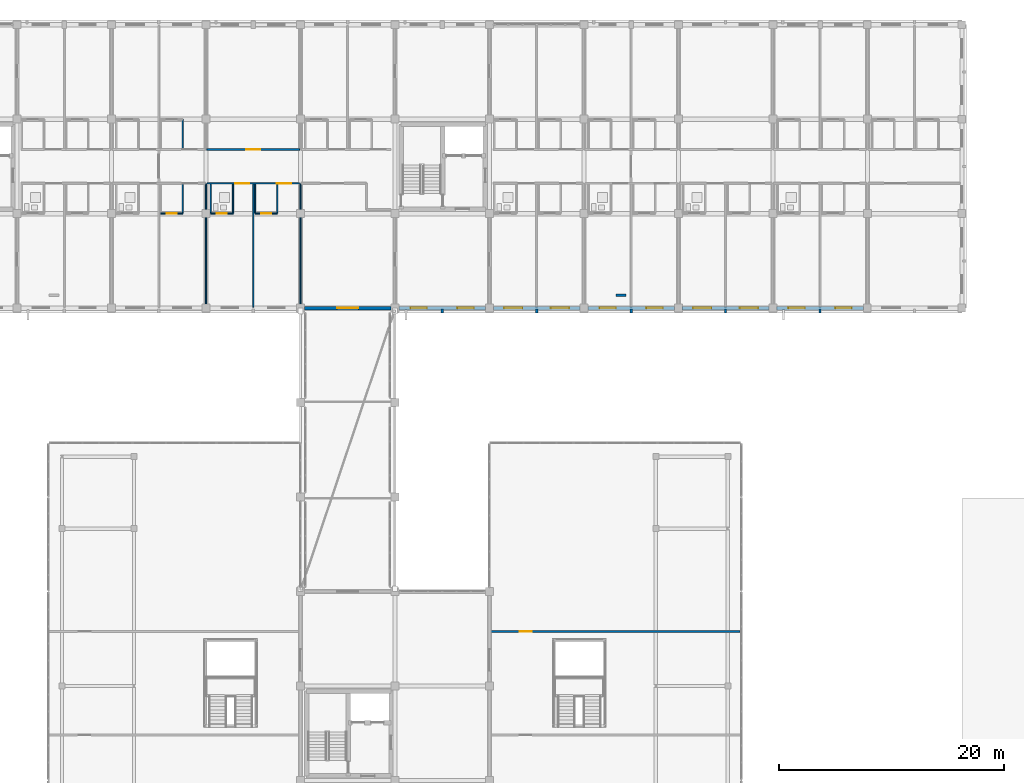
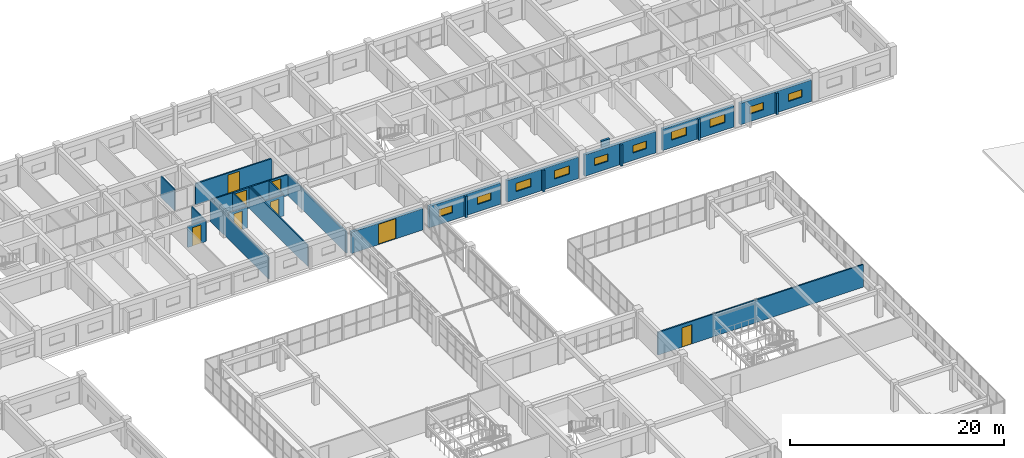
# One storey, part 126 of 148: 27 walls, 10 windows, 8 doors, 18 openings.
"""IFC4 building model written with IfcOpenShell, lengths in metres."""

from ifc_helpers import new_model, si_unit, direction, frame, frame_2d, origin, place, context, subcontext, project, spatial, rectangle, extrude, material, layer, layer_set, type_object, element, fill, save


model = new_model("IFC4")

# Units and contexts
model_context = context("Model", 3, precision=1e-05, world=origin(), true_north=direction((0.0, 1.0)))
body_context = subcontext(model_context, "Body", "Model", "MODEL_VIEW")
ifc_project = project(units=[si_unit("LENGTHUNIT", "METRE"), si_unit("AREAUNIT", "SQUARE_METRE"), si_unit("VOLUMEUNIT", "CUBIC_METRE"), si_unit("PLANEANGLEUNIT", "RADIAN"), si_unit("MASSUNIT", "GRAM", prefix="KILO")], contexts=[model_context])

# Site, building, storey
site_placement = place(None, origin())
site = spatial("IfcSite", under=ifc_project, at=site_placement, CompositionType="ELEMENT")
building_placement = place(site_placement, origin())
building = spatial("IfcBuilding", under=site, at=building_placement, Name="Trelvath General Hospital", CompositionType="ELEMENT")
storey_placement = place(building_placement, frame((0.0, 0.0, 12.89990234375)))
storey = spatial("IfcBuildingStorey", under=building, at=storey_placement, Name="L03", CompositionType="ELEMENT", Elevation=12.89990234375)

# Walls
ifc_material_1 = material(Name="Precast concrete C40/50", Category="concrete")
ifc_layer_1 = layer(ifc_material_1, 0.199951171875)
ifc_layer_set_1 = layer_set([ifc_layer_1], Name="Precast concrete C40/50")
wall_type_1 = type_object("IfcWallType", Name="BriseSoleilRib 200", PredefinedType="ELEMENTEDWALL", material=ifc_layer_set_1)
for number, where, z_axis, x_axis, name in (
    (1, (88.199951171875, 92.324951171875, 0.0), (0.0, 0.0, 1.0), (0.0, -1.0, 0.0), "Precast Concrete Brise-Soleil Rib Fin L03-276"),
    (2, (96.60009765625, 92.324951171875, 0.0), (0.0, 0.0, 1.0), (0.0, -1.0, 0.0), "Precast Concrete Brise-Soleil Rib Fin L03-279"),
    (3, (105.0, 92.324951171875, 0.0), (0.0, 0.0, 1.0), (0.0, -1.0, 0.0), "Precast Concrete Brise-Soleil Rib Fin L03-282"),
    (4, (113.39990234375, 92.324951171875, 0.0), (0.0, 0.0, 1.0), (0.0, -1.0, 0.0), "Precast Concrete Brise-Soleil Rib Fin L03-286"),
    (5, (121.800048828125, 92.324951171875, 0.0), (0.0, 0.0, 1.0), (0.0, -1.0, 0.0), "Precast Concrete Brise-Soleil Rib Fin L03-290"),
):
    element("IfcWall", number, at=place(storey_placement, frame(where, z_axis=z_axis, x_axis=x_axis)), inside=storey, type_object=wall_type_1, Name=name, PredefinedType="ELEMENTEDWALL", context=body_context, shape_type="SweptSolid", body=[
        extrude(rectangle(XDim=0.33984375, YDim=0.199951171875, at=frame_2d((0.169921875, 0.0))), origin(), (0.0, 0.0, 1.0), 2.420166015625),
    ])

# Wall, openings, doors
ifc_material_2 = material(Name="Gypsum acoustic steel-stud partition", Category="steel")
ifc_layer_2 = layer(ifc_material_2, 0.14990234375)
ifc_layer_set_2 = layer_set([ifc_layer_2], Name="Gypsum acoustic steel-stud partition")
wall_type_2 = type_object("IfcWallType", Name="ClinicalPartition 150", PredefinedType="PARTITIONING", material=ifc_layer_set_2)
wall_1_placement = place(storey_placement, frame((67.280029296875, 103.5, 0.0), z_axis=(0.0, 0.0, 1.0), x_axis=(1.0, 0.0, 0.0)))
wall_1 = element("IfcWall", 6, at=wall_1_placement, inside=storey, type_object=wall_type_2, Name="Corridor Partition L03-1296", PredefinedType="PARTITIONING", context=body_context, shape_type="SweptSolid", body=[
    extrude(rectangle(XDim=8.239990234375, YDim=0.14990234375, at=frame_2d((4.1201171875, 0.0))), origin(), (0.0, 0.0, 1.0), 2.420166015625),
])
opening_1_placement = place(wall_1_placement, frame((2.530029296875, 0.0, 0.0)))
opening_1 = element("IfcOpeningElement", 7, at=opening_1_placement, cuts=wall_1, Name="Opening D-3-0934", PredefinedType="OPENING", context=body_context, shape_type="SweptSolid", body=[
    extrude(rectangle(XDim=1.25, YDim=2.199951171875, at=frame_2d((0.625, 1.10009765625))), frame((0.0, 0.0849609375, 0.0), z_axis=(0.0, -1.0, 0.0), x_axis=(1.0, 0.0, 0.0)), (0.0, 0.0, 1.0), 0.169921875),
])
opening_2_placement = place(wall_1_placement, frame((6.22998046875, 0.0, 0.0)))
opening_2 = element("IfcOpeningElement", 8, at=opening_2_placement, cuts=wall_1, Name="Opening D-3-0935", PredefinedType="OPENING", context=body_context, shape_type="SweptSolid", body=[
    extrude(rectangle(XDim=1.25, YDim=2.199951171875, at=frame_2d((0.625, 1.10009765625))), frame((0.0, 0.0849609375, 0.0), z_axis=(0.0, -1.0, 0.0), x_axis=(1.0, 0.0, 0.0)), (0.0, 0.0, 1.0), 0.169921875),
])
ifc_material_3 = material(Name="Acoustic hospital timber leaf", Category="wood")
door_type_1 = type_object("IfcDoorType", Name="Door Treatment 1250x2200", OperationType="NOTDEFINED", PredefinedType="DOOR", material=ifc_material_3)
door_1_placement = place(opening_1_placement, origin())
door_1 = element("IfcDoor", 9, at=door_1_placement, inside=storey, type_object=door_type_1, Name="Patient Room Door L03-934", OperationType="SINGLE_SWING_RIGHT", OverallHeight=2.199951171875, OverallWidth=1.25, PredefinedType="DOOR", context=body_context, shape_type="SweptSolid", body=[
    extrude(rectangle(XDim=1.25, YDim=2.199951171875, at=frame_2d((0.625, 1.10009765625))), frame((0.0, 0.02490234375, 0.0), z_axis=(0.0, -1.0, 0.0), x_axis=(1.0, 0.0, 0.0)), (0.0, 0.0, 1.0), 0.050048828125),
])
fill(opening_1, door_1)
door_2_placement = place(opening_2_placement, origin())
door_2 = element("IfcDoor", 10, at=door_2_placement, inside=storey, type_object=door_type_1, Name="Patient Room Door L03-935", OperationType="SINGLE_SWING_LEFT", OverallHeight=2.199951171875, OverallWidth=1.25, PredefinedType="DOOR", context=body_context, shape_type="SweptSolid", body=[
    extrude(rectangle(XDim=1.25, YDim=2.199951171875, at=frame_2d((0.625, 1.10009765625))), frame((0.0, 0.02490234375, 0.0), z_axis=(0.0, -1.0, 0.0), x_axis=(1.0, 0.0, 0.0)), (0.0, 0.0, 1.0), 0.050048828125),
])
fill(opening_2, door_2)

# Wall, opening, door
wall_2_placement = place(storey_placement, frame((75.52001953125, 106.5, 0.0), z_axis=(0.0, 0.0, 1.0), x_axis=(-1.0, 0.0, 0.0)))
wall_2 = element("IfcWall", 11, at=wall_2_placement, inside=storey, type_object=wall_type_2, Name="Corridor Partition N L03-1304", PredefinedType="PARTITIONING", context=body_context, shape_type="SweptSolid", body=[
    extrude(rectangle(XDim=8.239990234375, YDim=0.14990234375, at=frame_2d((4.1201171875, 0.0))), origin(), (0.0, 0.0, 1.0), 2.420166015625),
])
opening_3_placement = place(wall_2_placement, frame((3.4951171875, 0.0, 0.0)))
opening_3 = element("IfcOpeningElement", 12, at=opening_3_placement, cuts=wall_2, Name="Opening D-3-0938", PredefinedType="OPENING", context=body_context, shape_type="SweptSolid", body=[
    extrude(rectangle(XDim=1.25, YDim=2.199951171875, at=frame_2d((0.625, 1.10009765625))), frame((0.0, 0.0849609375, 0.0), z_axis=(0.0, -1.0, 0.0), x_axis=(1.0, 0.0, 0.0)), (0.0, 0.0, 1.0), 0.169921875),
])
door_3_placement = place(opening_3_placement, origin())
door_3 = element("IfcDoor", 13, at=door_3_placement, inside=storey, type_object=door_type_1, Name="Clinical Room Door L03-938", OperationType="SINGLE_SWING_RIGHT", OverallHeight=2.199951171875, OverallWidth=1.25, PredefinedType="DOOR", context=body_context, shape_type="SweptSolid", body=[
    extrude(rectangle(XDim=1.25, YDim=2.199951171875, at=frame_2d((0.625, 1.10009765625))), frame((0.0, 0.02490234375, 0.0), z_axis=(0.0, -1.0, 0.0), x_axis=(1.0, 0.0, 0.0)), (0.0, 0.0, 1.0), 0.050048828125),
])
fill(opening_3, door_3)

wall_3_placement = place(storey_placement, frame((92.5, 63.64990234375, 0.0), z_axis=(0.0, 0.0, 1.0), x_axis=(1.0, 0.0, 0.0)))
wall_3 = element("IfcWall", 14, at=wall_3_placement, inside=storey, type_object=wall_type_2, Name="Cube Clinic CUBE-E Partition L03-1405", PredefinedType="PARTITIONING", context=body_context, shape_type="SweptSolid", body=[
    extrude(rectangle(XDim=22.199951171875, YDim=0.14990234375, at=frame_2d((11.10009765625, 0.0))), origin(), (0.0, 0.0, 1.0), 2.590087890625),
])
opening_4_placement = place(wall_3_placement, frame((2.60009765625, 0.0, 0.0)))
opening_4 = element("IfcOpeningElement", 15, at=opening_4_placement, cuts=wall_3, Name="Opening DC-3-0990", PredefinedType="OPENING", context=body_context, shape_type="SweptSolid", body=[
    extrude(rectangle(XDim=1.050048828125, YDim=2.199951171875, at=frame_2d((0.52490234375, 1.10009765625))), frame((0.0, 0.0849609375, 0.0), z_axis=(0.0, -1.0, 0.0), x_axis=(1.0, 0.0, 0.0)), (0.0, 0.0, 1.0), 0.169921875),
])
ifc_material_4 = material(Name="Acoustic hospital timber leaf", Category="wood")
door_type_2 = type_object("IfcDoorType", Name="Door Consult 1050x2200", OperationType="NOTDEFINED", PredefinedType="DOOR", material=ifc_material_4)
door_4_placement = place(opening_4_placement, origin())
door_4 = element("IfcDoor", 16, at=door_4_placement, inside=storey, type_object=door_type_2, Name="Cube Clinic CUBE-E Door L03-990", OperationType="SINGLE_SWING_RIGHT", OverallHeight=2.199951171875, OverallWidth=1.050048828125, PredefinedType="DOOR", context=body_context, shape_type="SweptSolid", body=[
    extrude(rectangle(XDim=1.050048828125, YDim=2.199951171875, at=frame_2d((0.52490234375, 1.10009765625))), frame((0.0, 0.02490234375, 0.0), z_axis=(0.0, -1.0, 0.0), x_axis=(1.0, 0.0, 0.0)), (0.0, 0.0, 1.0), 0.050048828125),
])
fill(opening_4, door_4)

# Wall
ifc_material_5 = material(Name="Moisture-resistant tile partition")
ifc_layer_3 = layer(ifc_material_5, 0.110107421875)
ifc_layer_set_3 = layer_set([ifc_layer_3], Name="Moisture-resistant tile partition")
wall_type_3 = type_object("IfcWallType", Name="EnSuiteWetWall 110", PredefinedType="PARTITIONING", material=ifc_layer_set_3)
wall_4_placement = place(storey_placement, frame((65.139892578125, 100.820068359375, 0.0), z_axis=(0.0, 0.0, 1.0), x_axis=(0.0, 1.0, 0.0)))
element("IfcWall", 17, at=wall_4_placement, inside=storey, type_object=wall_type_3, Name="En-Suite E Wall L03-1283", PredefinedType="PARTITIONING", context=body_context, shape_type="SweptSolid", body=[
    extrude(rectangle(XDim=2.60986328125, YDim=0.110107421875, at=frame_2d((1.304931640625, 0.0))), origin(), (0.0, 0.0, 1.0), 2.420166015625),
])

# Wall, opening, door
wall_5_placement = place(storey_placement, frame((63.159912109375, 100.820068359375, 0.0), z_axis=(0.0, 0.0, 1.0), x_axis=(1.0, 0.0, 0.0)))
wall_5 = element("IfcWall", 18, at=wall_5_placement, inside=storey, type_object=wall_type_3, Name="En-Suite Bathroom Partition L03-1284", PredefinedType="PARTITIONING", context=body_context, shape_type="SweptSolid", body=[
    extrude(rectangle(XDim=1.97998046875, YDim=0.110107421875, at=frame_2d((0.989990234375, 0.0))), origin(), (0.0, 0.0, 1.0), 2.420166015625),
])
opening_5_placement = place(wall_5_placement, frame((0.5400390625, 0.0, 0.0)))
opening_5 = element("IfcOpeningElement", 19, at=opening_5_placement, cuts=wall_5, Name="Opening D-3-0928", PredefinedType="OPENING", context=body_context, shape_type="SweptSolid", body=[
    extrude(rectangle(XDim=0.89990234375, YDim=2.10009765625, at=frame_2d((0.449951171875, 1.050048828125))), frame((0.0, 0.06494140625, 0.0), z_axis=(0.0, -1.0, 0.0), x_axis=(1.0, 0.0, 0.0)), (0.0, 0.0, 1.0), 0.130126953125),
])
ifc_material_6 = material(Name="Moisture-sealed timber leaf", Category="wood")
door_type_3 = type_object("IfcDoorType", Name="Door EnSuite 900x2100", OperationType="NOTDEFINED", PredefinedType="DOOR", material=ifc_material_6)
door_5_placement = place(opening_5_placement, origin())
door_5 = element("IfcDoor", 20, at=door_5_placement, inside=storey, type_object=door_type_3, Name="En-Suite Bathroom Door L03-928", OperationType="SINGLE_SWING_RIGHT", OverallHeight=2.10009765625, OverallWidth=0.89990234375, PredefinedType="DOOR", context=body_context, shape_type="SweptSolid", body=[
    extrude(rectangle(XDim=0.89990234375, YDim=2.10009765625, at=frame_2d((0.449951171875, 1.050048828125))), frame((0.0, 0.02490234375, 0.0), z_axis=(0.0, -1.0, 0.0), x_axis=(1.0, 0.0, 0.0)), (0.0, 0.0, 1.0), 0.050048828125),
])
fill(opening_5, door_5)

# Walls
for number, where, z_axis, x_axis, name in (
    (21, (65.139892578125, 106.570068359375, 0.0), (0.0, 0.0, 1.0), (0.0, 1.0, 0.0), "En-Suite E Wall N L03-1291"),
    (22, (67.6201171875, 100.820068359375, 0.0), (0.0, 0.0, 1.0), (0.0, 1.0, 0.0), "En-Suite W Wall L03-1298"),
    (23, (69.60009765625, 100.820068359375, 0.0), (0.0, 0.0, 1.0), (0.0, 1.0, 0.0), "En-Suite E Wall L03-1299"),
):
    element("IfcWall", number, at=place(storey_placement, frame(where, z_axis=z_axis, x_axis=x_axis)), inside=storey, type_object=wall_type_3, Name=name, PredefinedType="PARTITIONING", context=body_context, shape_type="SweptSolid", body=[
        extrude(rectangle(XDim=2.60986328125, YDim=0.110107421875, at=frame_2d((1.304931640625, 0.0))), origin(), (0.0, 0.0, 1.0), 2.420166015625),
    ])

# Wall, opening, door
wall_6_placement = place(storey_placement, frame((67.6201171875, 100.820068359375, 0.0), z_axis=(0.0, 0.0, 1.0), x_axis=(1.0, 0.0, 0.0)))
wall_6 = element("IfcWall", 24, at=wall_6_placement, inside=storey, type_object=wall_type_3, Name="En-Suite Bathroom Partition L03-1300", PredefinedType="PARTITIONING", context=body_context, shape_type="SweptSolid", body=[
    extrude(rectangle(XDim=1.97998046875, YDim=0.110107421875, at=frame_2d((0.989990234375, 0.0))), origin(), (0.0, 0.0, 1.0), 2.420166015625),
])
opening_6_placement = place(wall_6_placement, frame((0.5400390625, 0.0, 0.0)))
opening_6 = element("IfcOpeningElement", 25, at=opening_6_placement, cuts=wall_6, Name="Opening D-3-0936", PredefinedType="OPENING", context=body_context, shape_type="SweptSolid", body=[
    extrude(rectangle(XDim=0.89990234375, YDim=2.10009765625, at=frame_2d((0.449951171875, 1.050048828125))), frame((0.0, 0.06494140625, 0.0), z_axis=(0.0, -1.0, 0.0), x_axis=(1.0, 0.0, 0.0)), (0.0, 0.0, 1.0), 0.130126953125),
])
door_6_placement = place(opening_6_placement, origin())
door_6 = element("IfcDoor", 26, at=door_6_placement, inside=storey, type_object=door_type_3, Name="En-Suite Bathroom Door L03-936", OperationType="SINGLE_SWING_RIGHT", OverallHeight=2.10009765625, OverallWidth=0.89990234375, PredefinedType="DOOR", context=body_context, shape_type="SweptSolid", body=[
    extrude(rectangle(XDim=0.89990234375, YDim=2.10009765625, at=frame_2d((0.449951171875, 1.050048828125))), frame((0.0, 0.02490234375, 0.0), z_axis=(0.0, -1.0, 0.0), x_axis=(1.0, 0.0, 0.0)), (0.0, 0.0, 1.0), 0.050048828125),
])
fill(opening_6, door_6)

# Walls
for number, where, z_axis, x_axis, name in (
    (27, (71.56005859375, 100.820068359375, 0.0), (0.0, 0.0, 1.0), (0.0, 1.0, 0.0), "En-Suite W Wall L03-1301"),
    (28, (73.5400390625, 100.820068359375, 0.0), (0.0, 0.0, 1.0), (0.0, 1.0, 0.0), "En-Suite E Wall L03-1302"),
):
    element("IfcWall", number, at=place(storey_placement, frame(where, z_axis=z_axis, x_axis=x_axis)), inside=storey, type_object=wall_type_3, Name=name, PredefinedType="PARTITIONING", context=body_context, shape_type="SweptSolid", body=[
        extrude(rectangle(XDim=2.60986328125, YDim=0.110107421875, at=frame_2d((1.304931640625, 0.0))), origin(), (0.0, 0.0, 1.0), 2.420166015625),
    ])

# Wall, opening, door
wall_7_placement = place(storey_placement, frame((71.56005859375, 100.820068359375, 0.0), z_axis=(0.0, 0.0, 1.0), x_axis=(1.0, 0.0, 0.0)))
wall_7 = element("IfcWall", 29, at=wall_7_placement, inside=storey, type_object=wall_type_3, Name="En-Suite Bathroom Partition L03-1303", PredefinedType="PARTITIONING", context=body_context, shape_type="SweptSolid", body=[
    extrude(rectangle(XDim=1.97998046875, YDim=0.110107421875, at=frame_2d((0.989990234375, 0.0))), origin(), (0.0, 0.0, 1.0), 2.420166015625),
])
opening_7_placement = place(wall_7_placement, frame((0.5400390625, 0.0, 0.0)))
opening_7 = element("IfcOpeningElement", 30, at=opening_7_placement, cuts=wall_7, Name="Opening D-3-0937", PredefinedType="OPENING", context=body_context, shape_type="SweptSolid", body=[
    extrude(rectangle(XDim=0.89990234375, YDim=2.10009765625, at=frame_2d((0.449951171875, 1.050048828125))), frame((0.0, 0.06494140625, 0.0), z_axis=(0.0, -1.0, 0.0), x_axis=(1.0, 0.0, 0.0)), (0.0, 0.0, 1.0), 0.130126953125),
])
door_7_placement = place(opening_7_placement, origin())
door_7 = element("IfcDoor", 31, at=door_7_placement, inside=storey, type_object=door_type_3, Name="En-Suite Bathroom Door L03-937", OperationType="SINGLE_SWING_LEFT", OverallHeight=2.10009765625, OverallWidth=0.89990234375, PredefinedType="DOOR", context=body_context, shape_type="SweptSolid", body=[
    extrude(rectangle(XDim=0.89990234375, YDim=2.10009765625, at=frame_2d((0.449951171875, 1.050048828125))), frame((0.0, 0.02490234375, 0.0), z_axis=(0.0, -1.0, 0.0), x_axis=(1.0, 0.0, 0.0)), (0.0, 0.0, 1.0), 0.050048828125),
])
fill(opening_7, door_7)

ifc_material_7 = material(Name="Concrete C35/45", Category="concrete")
ifc_layer_4 = layer(ifc_material_7, 0.2900390625)
ifc_layer_set_4 = layer_set([ifc_layer_4], Name="Concrete C35/45")
wall_type_4 = type_object("IfcWallType", Name="ExtBushHammeredWall 290", PredefinedType="SOLIDWALL", material=ifc_layer_set_4)
wall_8_placement = place(storey_placement, frame((83.655029296875, 92.39990234375, 0.0), z_axis=(0.0, 0.0, 1.0), x_axis=(-1.0, 0.0, 0.0)))
wall_8 = element("IfcWall", 32, at=wall_8_placement, inside=storey, type_object=wall_type_4, Name="Bridge Portal Wall BRG-N-C L03", PredefinedType="SOLIDWALL", context=body_context, shape_type="SweptSolid", body=[
    extrude(rectangle(XDim=7.7099609375, YDim=0.2900390625, at=frame_2d((3.85498046875, 0.0))), origin(), (0.0, 0.0, 1.0), 2.440185546875),
])
opening_8_placement = place(wall_8_placement, frame((2.905029296875, 0.0, 0.0)))
opening_8 = element("IfcOpeningElement", 33, at=opening_8_placement, cuts=wall_8, Name="Opening BP-3-054", PredefinedType="OPENING", context=body_context, shape_type="SweptSolid", body=[
    extrude(rectangle(XDim=1.89990234375, YDim=2.320068359375, at=frame_2d((0.949951171875, 1.16015625))), frame((0.0, 0.155029296875, 0.0), z_axis=(0.0, -1.0, 0.0), x_axis=(1.0, 0.0, 0.0)), (0.0, 0.0, 1.0), 0.31005859375),
])
ifc_material_8 = material(Name="Thermally broken glazed aluminium pair", Category="aluminium")
door_type_4 = type_object("IfcDoorType", Name="Door BridgeEntry 1900x2400", OperationType="DOUBLE_SWING_LEFT", PredefinedType="DOOR", material=ifc_material_8)
door_8_placement = place(opening_8_placement, origin())
door_8 = element("IfcDoor", 34, at=door_8_placement, inside=storey, type_object=door_type_4, Name="Glazed Bridge Portal Door BRG-N-C L03", OperationType="DOUBLE_SWING_LEFT", OverallHeight=2.320068359375, OverallWidth=1.89990234375, PredefinedType="DOOR", context=body_context, shape_type="SweptSolid", body=[
    extrude(rectangle(XDim=1.89990234375, YDim=2.320068359375, at=frame_2d((0.949951171875, 1.16015625))), frame((0.0, 0.02490234375, 0.0), z_axis=(0.0, -1.0, 0.0), x_axis=(1.0, 0.0, 0.0)), (0.0, 0.0, 1.0), 0.050048828125),
])
fill(opening_8, door_8)

# Wall, openings, windows
wall_9_placement = place(storey_placement, frame((92.054931640625, 92.39990234375, 0.0), z_axis=(0.0, 0.0, 1.0), x_axis=(-1.0, 0.0, 0.0)))
wall_9 = element("IfcWall", 35, at=wall_9_placement, inside=storey, type_object=wall_type_4, Name="Exterior Concrete Wall L03-394", PredefinedType="SOLIDWALL", context=body_context, shape_type="SweptSolid", body=[
    extrude(rectangle(XDim=7.7099609375, YDim=0.2900390625, at=frame_2d((3.85498046875, 0.0))), origin(), (0.0, 0.0, 1.0), 2.440185546875),
])
opening_9_placement = place(wall_9_placement, frame((1.043212890625, 0.0, 0.85009765625)))
opening_9 = element("IfcOpeningElement", 36, at=opening_9_placement, cuts=wall_9, Name="Opening WN-3-637", PredefinedType="OPENING", context=body_context, shape_type="SweptSolid", body=[
    extrude(rectangle(XDim=1.4599609375, YDim=0.85009765625, at=frame_2d((0.72998046875, 0.425048828125))), frame((0.0, 0.155029296875, 0.0), z_axis=(0.0, -1.0, 0.0), x_axis=(1.0, 0.0, 0.0)), (0.0, 0.0, 1.0), 0.31005859375),
])
opening_10_placement = place(wall_9_placement, frame((5.206787109375, 0.0, 0.85009765625)))
opening_10 = element("IfcOpeningElement", 37, at=opening_10_placement, cuts=wall_9, Name="Opening WN-3-638", PredefinedType="OPENING", context=body_context, shape_type="SweptSolid", body=[
    extrude(rectangle(XDim=1.4599609375, YDim=0.85009765625, at=frame_2d((0.72998046875, 0.425048828125))), frame((0.0, 0.155029296875, 0.0), z_axis=(0.0, -1.0, 0.0), x_axis=(1.0, 0.0, 0.0)), (0.0, 0.0, 1.0), 0.31005859375),
])
ifc_material_9 = material(Name="Low-E laminated glass", Category="glass")
window_type_1 = type_object("IfcWindowType", Name="Window ImagingClere 1460x850", PartitioningType="DOUBLE_PANEL_VERTICAL", PredefinedType="WINDOW", material=ifc_material_9)
window_1_placement = place(opening_9_placement, origin())
window_1 = element("IfcWindow", 38, at=window_1_placement, inside=storey, type_object=window_type_1, Name="Solar Reveal Window L03-637", OverallHeight=0.85009765625, OverallWidth=1.4599609375, PartitioningType="SINGLE_PANEL", PredefinedType="WINDOW", context=body_context, shape_type="SweptSolid", body=[
    extrude(rectangle(XDim=1.4599609375, YDim=0.85009765625, at=frame_2d((0.72998046875, 0.425048828125))), frame((0.0, 0.030029296875, 0.0), z_axis=(0.0, -1.0, 0.0), x_axis=(1.0, 0.0, 0.0)), (0.0, 0.0, 1.0), 0.06005859375),
])
fill(opening_9, window_1)
window_2_placement = place(opening_10_placement, origin())
window_2 = element("IfcWindow", 39, at=window_2_placement, inside=storey, type_object=window_type_1, Name="Solar Reveal Window L03-638", OverallHeight=0.85009765625, OverallWidth=1.4599609375, PartitioningType="SINGLE_PANEL", PredefinedType="WINDOW", context=body_context, shape_type="SweptSolid", body=[
    extrude(rectangle(XDim=1.4599609375, YDim=0.85009765625, at=frame_2d((0.72998046875, 0.425048828125))), frame((0.0, 0.030029296875, 0.0), z_axis=(0.0, -1.0, 0.0), x_axis=(1.0, 0.0, 0.0)), (0.0, 0.0, 1.0), 0.06005859375),
])
fill(opening_10, window_2)

wall_10_placement = place(storey_placement, frame((100.455078125, 92.39990234375, 0.0), z_axis=(0.0, 0.0, 1.0), x_axis=(-1.0, 0.0, 0.0)))
wall_10 = element("IfcWall", 40, at=wall_10_placement, inside=storey, type_object=wall_type_4, Name="Exterior Concrete Wall L03-397", PredefinedType="SOLIDWALL", context=body_context, shape_type="SweptSolid", body=[
    extrude(rectangle(XDim=7.7099609375, YDim=0.2900390625, at=frame_2d((3.85498046875, 0.0))), origin(), (0.0, 0.0, 1.0), 2.440185546875),
])
opening_11_placement = place(wall_10_placement, frame((0.96337890625, 0.0, 0.85009765625)))
opening_11 = element("IfcOpeningElement", 41, at=opening_11_placement, cuts=wall_10, Name="Opening WN-3-643", PredefinedType="OPENING", context=body_context, shape_type="SweptSolid", body=[
    extrude(rectangle(XDim=1.6201171875, YDim=0.949951171875, at=frame_2d((0.81005859375, 0.47509765625))), frame((0.0, 0.155029296875, 0.0), z_axis=(0.0, -1.0, 0.0), x_axis=(1.0, 0.0, 0.0)), (0.0, 0.0, 1.0), 0.31005859375),
])
opening_12_placement = place(wall_10_placement, frame((5.126708984375, 0.0, 0.85009765625)))
opening_12 = element("IfcOpeningElement", 42, at=opening_12_placement, cuts=wall_10, Name="Opening WN-3-644", PredefinedType="OPENING", context=body_context, shape_type="SweptSolid", body=[
    extrude(rectangle(XDim=1.6201171875, YDim=0.949951171875, at=frame_2d((0.81005859375, 0.47509765625))), frame((0.0, 0.155029296875, 0.0), z_axis=(0.0, -1.0, 0.0), x_axis=(1.0, 0.0, 0.0)), (0.0, 0.0, 1.0), 0.31005859375),
])
ifc_material_10 = material(Name="Low-E laminated glass", Category="glass")
window_type_2 = type_object("IfcWindowType", Name="Window EmergencyClere 1620x950", PartitioningType="DOUBLE_PANEL_VERTICAL", PredefinedType="WINDOW", material=ifc_material_10)
window_3_placement = place(opening_11_placement, origin())
window_3 = element("IfcWindow", 43, at=window_3_placement, inside=storey, type_object=window_type_2, Name="Solar Reveal Window L03-643", OverallHeight=0.949951171875, OverallWidth=1.6201171875, PartitioningType="SINGLE_PANEL", PredefinedType="WINDOW", context=body_context, shape_type="SweptSolid", body=[
    extrude(rectangle(XDim=1.6201171875, YDim=0.949951171875, at=frame_2d((0.81005859375, 0.47509765625))), frame((0.0, 0.030029296875, 0.0), z_axis=(0.0, -1.0, 0.0), x_axis=(1.0, 0.0, 0.0)), (0.0, 0.0, 1.0), 0.06005859375),
])
fill(opening_11, window_3)
window_4_placement = place(opening_12_placement, origin())
window_4 = element("IfcWindow", 44, at=window_4_placement, inside=storey, type_object=window_type_2, Name="Solar Reveal Window L03-644", OverallHeight=0.949951171875, OverallWidth=1.6201171875, PartitioningType="SINGLE_PANEL", PredefinedType="WINDOW", context=body_context, shape_type="SweptSolid", body=[
    extrude(rectangle(XDim=1.6201171875, YDim=0.949951171875, at=frame_2d((0.81005859375, 0.47509765625))), frame((0.0, 0.030029296875, 0.0), z_axis=(0.0, -1.0, 0.0), x_axis=(1.0, 0.0, 0.0)), (0.0, 0.0, 1.0), 0.06005859375),
])
fill(opening_12, window_4)

wall_11_placement = place(storey_placement, frame((108.85498046875, 92.39990234375, 0.0), z_axis=(0.0, 0.0, 1.0), x_axis=(-1.0, 0.0, 0.0)))
wall_11 = element("IfcWall", 45, at=wall_11_placement, inside=storey, type_object=wall_type_4, Name="Exterior Concrete Wall L03-400", PredefinedType="SOLIDWALL", context=body_context, shape_type="SweptSolid", body=[
    extrude(rectangle(XDim=7.7099609375, YDim=0.2900390625, at=frame_2d((3.85498046875, 0.0))), origin(), (0.0, 0.0, 1.0), 2.440185546875),
])
opening_13_placement = place(wall_11_placement, frame((1.043212890625, 0.0, 0.85009765625)))
opening_13 = element("IfcOpeningElement", 46, at=opening_13_placement, cuts=wall_11, Name="Opening WN-3-649", PredefinedType="OPENING", context=body_context, shape_type="SweptSolid", body=[
    extrude(rectangle(XDim=1.4599609375, YDim=0.85009765625, at=frame_2d((0.72998046875, 0.425048828125))), frame((0.0, 0.155029296875, 0.0), z_axis=(0.0, -1.0, 0.0), x_axis=(1.0, 0.0, 0.0)), (0.0, 0.0, 1.0), 0.31005859375),
])
opening_14_placement = place(wall_11_placement, frame((5.206787109375, 0.0, 0.85009765625)))
opening_14 = element("IfcOpeningElement", 47, at=opening_14_placement, cuts=wall_11, Name="Opening WN-3-650", PredefinedType="OPENING", context=body_context, shape_type="SweptSolid", body=[
    extrude(rectangle(XDim=1.4599609375, YDim=0.85009765625, at=frame_2d((0.72998046875, 0.425048828125))), frame((0.0, 0.155029296875, 0.0), z_axis=(0.0, -1.0, 0.0), x_axis=(1.0, 0.0, 0.0)), (0.0, 0.0, 1.0), 0.31005859375),
])
window_5_placement = place(opening_13_placement, origin())
window_5 = element("IfcWindow", 48, at=window_5_placement, inside=storey, type_object=window_type_1, Name="Solar Reveal Window L03-649", OverallHeight=0.85009765625, OverallWidth=1.4599609375, PartitioningType="SINGLE_PANEL", PredefinedType="WINDOW", context=body_context, shape_type="SweptSolid", body=[
    extrude(rectangle(XDim=1.4599609375, YDim=0.85009765625, at=frame_2d((0.72998046875, 0.425048828125))), frame((0.0, 0.030029296875, 0.0), z_axis=(0.0, -1.0, 0.0), x_axis=(1.0, 0.0, 0.0)), (0.0, 0.0, 1.0), 0.06005859375),
])
fill(opening_13, window_5)
window_6_placement = place(opening_14_placement, origin())
window_6 = element("IfcWindow", 49, at=window_6_placement, inside=storey, type_object=window_type_1, Name="Solar Reveal Window L03-650", OverallHeight=0.85009765625, OverallWidth=1.4599609375, PartitioningType="SINGLE_PANEL", PredefinedType="WINDOW", context=body_context, shape_type="SweptSolid", body=[
    extrude(rectangle(XDim=1.4599609375, YDim=0.85009765625, at=frame_2d((0.72998046875, 0.425048828125))), frame((0.0, 0.030029296875, 0.0), z_axis=(0.0, -1.0, 0.0), x_axis=(1.0, 0.0, 0.0)), (0.0, 0.0, 1.0), 0.06005859375),
])
fill(opening_14, window_6)

wall_12_placement = place(storey_placement, frame((117.2548828125, 92.39990234375, 0.0), z_axis=(0.0, 0.0, 1.0), x_axis=(-1.0, 0.0, 0.0)))
wall_12 = element("IfcWall", 50, at=wall_12_placement, inside=storey, type_object=wall_type_4, Name="Exterior Concrete Wall L03-404", PredefinedType="SOLIDWALL", context=body_context, shape_type="SweptSolid", body=[
    extrude(rectangle(XDim=7.7099609375, YDim=0.2900390625, at=frame_2d((3.85498046875, 0.0))), origin(), (0.0, 0.0, 1.0), 2.440185546875),
])
opening_15_placement = place(wall_12_placement, frame((0.96337890625, 0.0, 0.85009765625)))
opening_15 = element("IfcOpeningElement", 51, at=opening_15_placement, cuts=wall_12, Name="Opening WN-3-657", PredefinedType="OPENING", context=body_context, shape_type="SweptSolid", body=[
    extrude(rectangle(XDim=1.6201171875, YDim=0.949951171875, at=frame_2d((0.81005859375, 0.47509765625))), frame((0.0, 0.155029296875, 0.0), z_axis=(0.0, -1.0, 0.0), x_axis=(1.0, 0.0, 0.0)), (0.0, 0.0, 1.0), 0.31005859375),
])
opening_16_placement = place(wall_12_placement, frame((5.126708984375, 0.0, 0.85009765625)))
opening_16 = element("IfcOpeningElement", 52, at=opening_16_placement, cuts=wall_12, Name="Opening WN-3-658", PredefinedType="OPENING", context=body_context, shape_type="SweptSolid", body=[
    extrude(rectangle(XDim=1.6201171875, YDim=0.949951171875, at=frame_2d((0.81005859375, 0.47509765625))), frame((0.0, 0.155029296875, 0.0), z_axis=(0.0, -1.0, 0.0), x_axis=(1.0, 0.0, 0.0)), (0.0, 0.0, 1.0), 0.31005859375),
])
window_7_placement = place(opening_15_placement, origin())
window_7 = element("IfcWindow", 53, at=window_7_placement, inside=storey, type_object=window_type_2, Name="Solar Reveal Window L03-657", OverallHeight=0.949951171875, OverallWidth=1.6201171875, PartitioningType="SINGLE_PANEL", PredefinedType="WINDOW", context=body_context, shape_type="SweptSolid", body=[
    extrude(rectangle(XDim=1.6201171875, YDim=0.949951171875, at=frame_2d((0.81005859375, 0.47509765625))), frame((0.0, 0.030029296875, 0.0), z_axis=(0.0, -1.0, 0.0), x_axis=(1.0, 0.0, 0.0)), (0.0, 0.0, 1.0), 0.06005859375),
])
fill(opening_15, window_7)
window_8_placement = place(opening_16_placement, origin())
window_8 = element("IfcWindow", 54, at=window_8_placement, inside=storey, type_object=window_type_2, Name="Solar Reveal Window L03-658", OverallHeight=0.949951171875, OverallWidth=1.6201171875, PartitioningType="SINGLE_PANEL", PredefinedType="WINDOW", context=body_context, shape_type="SweptSolid", body=[
    extrude(rectangle(XDim=1.6201171875, YDim=0.949951171875, at=frame_2d((0.81005859375, 0.47509765625))), frame((0.0, 0.030029296875, 0.0), z_axis=(0.0, -1.0, 0.0), x_axis=(1.0, 0.0, 0.0)), (0.0, 0.0, 1.0), 0.06005859375),
])
fill(opening_16, window_8)

wall_13_placement = place(storey_placement, frame((125.655029296875, 92.39990234375, 0.0), z_axis=(0.0, 0.0, 1.0), x_axis=(-1.0, 0.0, 0.0)))
wall_13 = element("IfcWall", 55, at=wall_13_placement, inside=storey, type_object=wall_type_4, Name="Exterior Concrete Wall L03-408", PredefinedType="SOLIDWALL", context=body_context, shape_type="SweptSolid", body=[
    extrude(rectangle(XDim=7.7099609375, YDim=0.2900390625, at=frame_2d((3.85498046875, 0.0))), origin(), (0.0, 0.0, 1.0), 2.440185546875),
])
opening_17_placement = place(wall_13_placement, frame((1.043212890625, 0.0, 0.85009765625)))
opening_17 = element("IfcOpeningElement", 56, at=opening_17_placement, cuts=wall_13, Name="Opening WN-3-665", PredefinedType="OPENING", context=body_context, shape_type="SweptSolid", body=[
    extrude(rectangle(XDim=1.4599609375, YDim=0.85009765625, at=frame_2d((0.72998046875, 0.425048828125))), frame((0.0, 0.155029296875, 0.0), z_axis=(0.0, -1.0, 0.0), x_axis=(1.0, 0.0, 0.0)), (0.0, 0.0, 1.0), 0.31005859375),
])
opening_18_placement = place(wall_13_placement, frame((5.206787109375, 0.0, 0.85009765625)))
opening_18 = element("IfcOpeningElement", 57, at=opening_18_placement, cuts=wall_13, Name="Opening WN-3-666", PredefinedType="OPENING", context=body_context, shape_type="SweptSolid", body=[
    extrude(rectangle(XDim=1.4599609375, YDim=0.85009765625, at=frame_2d((0.72998046875, 0.425048828125))), frame((0.0, 0.155029296875, 0.0), z_axis=(0.0, -1.0, 0.0), x_axis=(1.0, 0.0, 0.0)), (0.0, 0.0, 1.0), 0.31005859375),
])
window_9_placement = place(opening_17_placement, origin())
window_9 = element("IfcWindow", 58, at=window_9_placement, inside=storey, type_object=window_type_1, Name="Solar Reveal Window L03-665", OverallHeight=0.85009765625, OverallWidth=1.4599609375, PartitioningType="SINGLE_PANEL", PredefinedType="WINDOW", context=body_context, shape_type="SweptSolid", body=[
    extrude(rectangle(XDim=1.4599609375, YDim=0.85009765625, at=frame_2d((0.72998046875, 0.425048828125))), frame((0.0, 0.030029296875, 0.0), z_axis=(0.0, -1.0, 0.0), x_axis=(1.0, 0.0, 0.0)), (0.0, 0.0, 1.0), 0.06005859375),
])
fill(opening_17, window_9)
window_10_placement = place(opening_18_placement, origin())
window_10 = element("IfcWindow", 59, at=window_10_placement, inside=storey, type_object=window_type_1, Name="Solar Reveal Window L03-666", OverallHeight=0.85009765625, OverallWidth=1.4599609375, PartitioningType="SINGLE_PANEL", PredefinedType="WINDOW", context=body_context, shape_type="SweptSolid", body=[
    extrude(rectangle(XDim=1.4599609375, YDim=0.85009765625, at=frame_2d((0.72998046875, 0.425048828125))), frame((0.0, 0.030029296875, 0.0), z_axis=(0.0, -1.0, 0.0), x_axis=(1.0, 0.0, 0.0)), (0.0, 0.0, 1.0), 0.06005859375),
])
fill(opening_18, window_10)

# Walls
ifc_material_11 = material(Name="Masonry service chase blockwork", Category="masonry")
ifc_layer_5 = layer(ifc_material_11, 0.239990234375)
ifc_layer_set_5 = layer_set([ifc_layer_5], Name="Masonry service chase blockwork")
wall_type_5 = type_object("IfcWallType", Name="PlumbingChaseWall 240", PredefinedType="PLUMBINGWALL", material=ifc_layer_set_5)
wall_14_placement = place(storey_placement, frame((103.64990234375, 93.550048828125, 0.0), z_axis=(0.0, 0.0, 1.0), x_axis=(1.0, 0.0, 0.0)))
element("IfcWall", 60, at=wall_14_placement, inside=storey, type_object=wall_type_5, Name="Medical Gas Plumbing Chase L03-1348", PredefinedType="PLUMBINGWALL", context=body_context, shape_type="SweptSolid", body=[
    extrude(rectangle(XDim=0.900146484375, YDim=0.239990234375, at=frame_2d((0.4501953125, 0.0))), origin(), (0.0, 0.0, 1.0), 2.420166015625),
])
ifc_material_12 = material(Name="Gypsum acoustic steel-stud partition", Category="steel")
ifc_layer_6 = layer(ifc_material_12, 0.1298828125)
ifc_layer_set_6 = layer_set([ifc_layer_6], Name="Gypsum acoustic steel-stud partition")
wall_type_6 = type_object("IfcWallType", Name="WardPartition 130", PredefinedType="PARTITIONING", material=ifc_layer_set_6)
wall_15_placement = place(storey_placement, frame((67.199951171875, 92.5400390625, 0.0), z_axis=(0.0, 0.0, 1.0), x_axis=(0.0, 1.0, 0.0)))
element("IfcWall", 61, at=wall_15_placement, inside=storey, type_object=wall_type_6, Name="Inter-Bay Ward Partition S L03-1294", PredefinedType="PARTITIONING", context=body_context, shape_type="SweptSolid", body=[
    extrude(rectangle(XDim=10.93994140625, YDim=0.1298828125, at=frame_2d((5.469970703125, 0.0))), origin(), (0.0, 0.0, 1.0), 2.420166015625),
])
wall_16_placement = place(storey_placement, frame((71.39990234375, 92.5, 0.0), z_axis=(0.0, 0.0, 1.0), x_axis=(0.0, 1.0, 0.0)))
element("IfcWall", 62, at=wall_16_placement, inside=storey, type_object=wall_type_6, Name="Room Dividing Partition S L03-1297", PredefinedType="PARTITIONING", context=body_context, shape_type="SweptSolid", body=[
    extrude(rectangle(XDim=10.929931640625, YDim=0.1298828125, at=frame_2d((5.46484375, 0.0))), origin(), (0.0, 0.0, 1.0), 2.420166015625),
])
wall_17_placement = place(storey_placement, frame((75.60009765625, 92.5400390625, 0.0), z_axis=(0.0, 0.0, 1.0), x_axis=(0.0, 1.0, 0.0)))
element("IfcWall", 63, at=wall_17_placement, inside=storey, type_object=wall_type_6, Name="Inter-Bay Ward Partition S L03-1305", PredefinedType="PARTITIONING", context=body_context, shape_type="SweptSolid", body=[
    extrude(rectangle(XDim=10.93994140625, YDim=0.1298828125, at=frame_2d((5.469970703125, 0.0))), origin(), (0.0, 0.0, 1.0), 2.420166015625),
])

save(model, "model.ifc")
